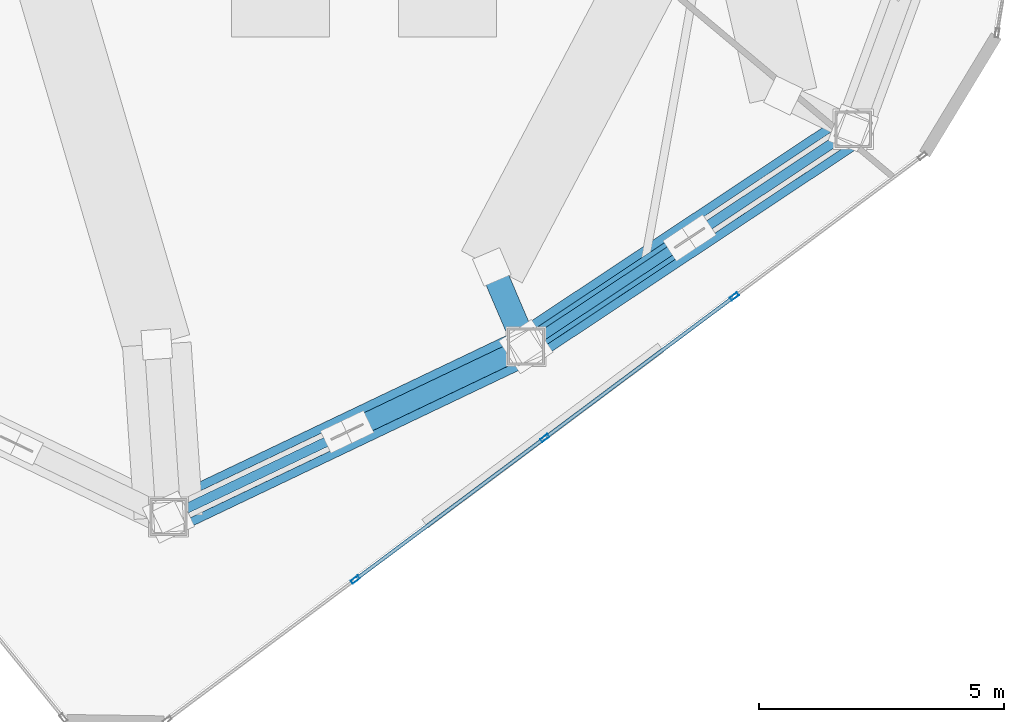
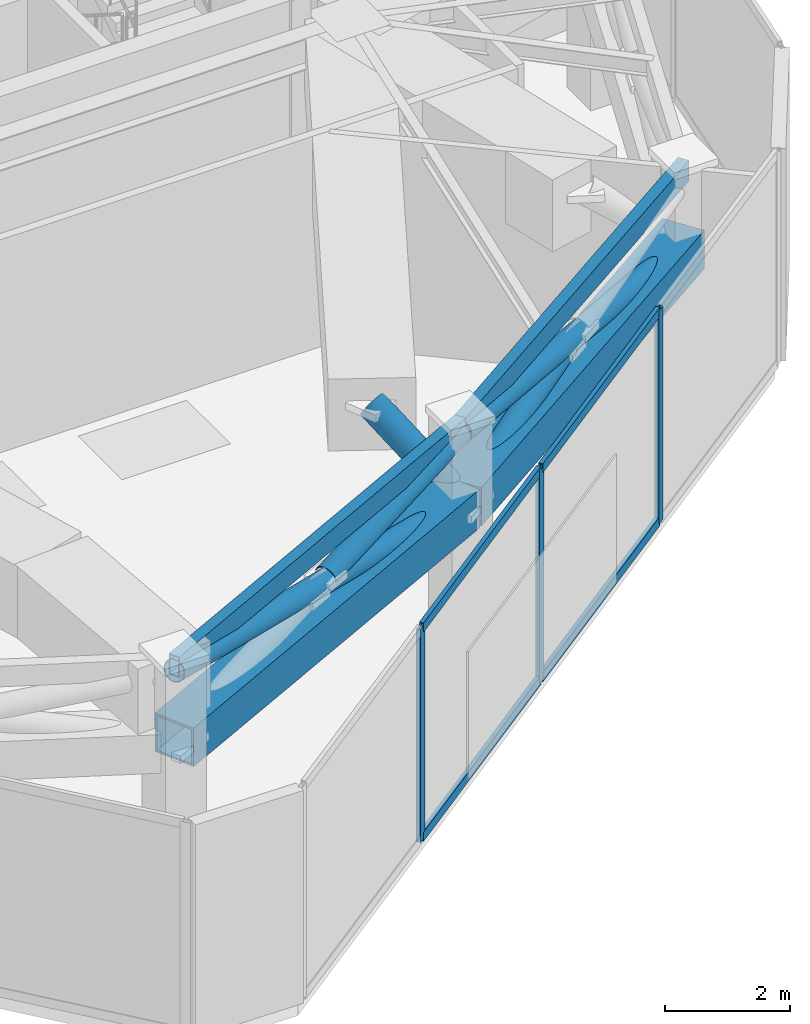
# One storey, part 4 of 19: 14 members, 2 beams, 1 element without a shape of its own.
"""IFC4 building model written with IfcOpenShell, lengths in metres."""

import ifcopenshell
import ifcopenshell.guid

model = None  # the IFC model being written
_history = None  # IfcOwnerHistory: only IFC2X3 demands one
_inside = {}  # id of a spatial element -> (the spatial element, [elements in it])
_under = {}  # id of a project, library or spatial element -> (it, [spatial elements below it])
_declared = {}  # id of a project -> (the project, [libraries it declares])
_typed = {}  # id of a type object -> (the type object, [elements of that type])
_made_of = {}  # id of a material, layer set ... -> (it, [elements and type objects made of it])


def new_model(schema):
    """Start an empty IFC model of exactly this schema.

    Asked for "IFC4X3", IfcOpenShell would pick the latest addendum, in which some entities
    have other attributes; the version numbers below select the first issue.
    IFC2X3 requires an IfcOwnerHistory on every rooted entity: one is made here for all.
    """
    global model, _history
    if schema == "IFC4X3":
        model = ifcopenshell.file(schema_version=(4, 3, 0, 0))
    else:
        model = ifcopenshell.file(schema=schema)
    _inside.clear()
    _under.clear()
    _declared.clear()
    _typed.clear()
    _made_of.clear()
    _history = None
    if model.schema == "IFC2X3":
        org = make("IfcOrganization", Name="unknown")
        user = make(
            "IfcPersonAndOrganization",
            ThePerson=make("IfcPerson", FamilyName="unknown"),
            TheOrganization=org,
        )
        app = make(
            "IfcApplication",
            ApplicationDeveloper=org,
            Version="unknown",
            ApplicationFullName="unknown",
            ApplicationIdentifier="unknown",
        )
        _history = make(
            "IfcOwnerHistory",
            OwningUser=user,
            OwningApplication=app,
            ChangeAction="ADDED",
            CreationDate=0,
        )
    return model


def make(cls, **values):
    """One entity of the class cls with the attributes given. An attribute that is None is left unset."""
    return model.create_entity(
        cls, **{name: value for name, value in values.items() if value is not None}
    )


def rooted(cls, **values):
    """An entity with a GlobalId (a new one), such as an element, a storey or a relation."""
    return make(cls, GlobalId=ifcopenshell.guid.new(), OwnerHistory=_history, **values)


def si_unit(unit_type, name, prefix=None):
    """IfcSIUnit, for example si_unit("LENGTHUNIT", "METRE", prefix="MILLI")."""
    return make("IfcSIUnit", UnitType=unit_type, Prefix=prefix, Name=name)


def assignment(units):
    """IfcUnitAssignment: the units of a project."""
    return None if units is None else make("IfcUnitAssignment", Units=units)


def point(xyz):
    """IfcCartesianPoint."""
    return None if xyz is None else make("IfcCartesianPoint", Coordinates=xyz)


def direction(xyz):
    """IfcDirection."""
    return None if xyz is None else make("IfcDirection", DirectionRatios=xyz)


def frame(location, z_axis=None, x_axis=None):
    """IfcAxis2Placement3D, a coordinate frame: its origin and axes. An axis left out is left unset."""
    return make(
        "IfcAxis2Placement3D",
        Location=point(location),
        Axis=direction(z_axis),
        RefDirection=direction(x_axis),
    )


def frame_2d(location, x_axis=None):
    """IfcAxis2Placement2D, a coordinate frame in the plane: its origin and x axis."""
    return make(
        "IfcAxis2Placement2D", Location=point(location), RefDirection=direction(x_axis)
    )


def origin():
    """The frame at (0, 0, 0) with its axes left unset."""
    return frame((0.0, 0.0, 0.0))


def origin_2d():
    """The frame at (0, 0) in the plane with its x axis left unset."""
    return frame_2d((0.0, 0.0))


def place(relative_to, where):
    """IfcLocalPlacement: puts the frame where relative to a parent placement (None: the world)."""
    return make(
        "IfcLocalPlacement", PlacementRelTo=relative_to, RelativePlacement=where
    )


def context(
    kind, dimensions, precision=None, world=None, true_north=None, identifier=None
):
    """IfcGeometricRepresentationContext, for example the 3D "Model" context."""
    return make(
        "IfcGeometricRepresentationContext",
        ContextIdentifier=identifier,
        ContextType=kind,
        CoordinateSpaceDimension=dimensions,
        Precision=precision,
        WorldCoordinateSystem=world,
        TrueNorth=true_north,
    )


def subcontext(parent, identifier, kind, view, scale=None):
    """IfcGeometricRepresentationSubContext, for example "Body" below "Model"."""
    return make(
        "IfcGeometricRepresentationSubContext",
        ContextIdentifier=identifier,
        ContextType=kind,
        ParentContext=parent,
        TargetScale=scale,
        TargetView=view,
    )


def project(units=None, contexts=None):
    """IfcProject with its units and contexts."""
    return rooted(
        "IfcProject",
        Name="project",
        RepresentationContexts=contexts,
        UnitsInContext=assignment(units),
    )


def spatial(cls, under=None, at=None, **own):
    """A site, building, storey or space (cls), placed at a placement, below another one or the project."""
    s = rooted(cls, ObjectPlacement=at, **own)
    if under is not None:
        _under.setdefault(under.id(), (under, []))[1].append(s)
    return s


def profile(cls, at=None, kind="AREA", **sizes):
    """A parametric profile (cls). Its sizes go by their IFC names, for example OverallWidth=200.0."""
    return make(cls, ProfileType=kind, Position=at, **sizes)


def hollow_rectangle(**sizes):
    """IfcRectangleHollowProfileDef."""
    return profile("IfcRectangleHollowProfileDef", **sizes)


def hollow_circle(**sizes):
    """IfcCircleHollowProfileDef."""
    return profile("IfcCircleHollowProfileDef", **sizes)


def extrude(swept, where, along, depth):
    """IfcExtrudedAreaSolid: the profile swept, set in the frame where, extruded along a direction by depth."""
    return make(
        "IfcExtrudedAreaSolid",
        SweptArea=swept,
        Position=where,
        ExtrudedDirection=direction(along),
        Depth=depth,
    )


def shape(context_of_items, identifier, shape_type, items):
    """IfcShapeRepresentation: the items that make up one representation, for example the "Body"."""
    return make(
        "IfcShapeRepresentation",
        ContextOfItems=context_of_items,
        RepresentationIdentifier=identifier,
        RepresentationType=shape_type,
        Items=items,
    )


def source(mapping_origin, context_of_items, identifier, shape_type, items):
    """IfcRepresentationMap: a shape defined once, which mapped items show again and again."""
    return make(
        "IfcRepresentationMap",
        MappingOrigin=mapping_origin,
        MappedRepresentation=shape(context_of_items, identifier, shape_type, items),
    )


def transform(
    local_origin,
    x_axis=None,
    y_axis=None,
    z_axis=None,
    scale=None,
    scale2=None,
    scale3=None,
    uniform=True,
):
    """IfcCartesianTransformationOperator3D, or its non-uniform kind. x_axis, y_axis, z_axis: its Axis1, 2, 3."""
    if uniform:
        return make(
            "IfcCartesianTransformationOperator3D",
            Axis1=direction(x_axis),
            Axis2=direction(y_axis),
            LocalOrigin=point(local_origin),
            Scale=scale,
            Axis3=direction(z_axis),
        )
    return make(
        "IfcCartesianTransformationOperator3DnonUniform",
        Axis1=direction(x_axis),
        Axis2=direction(y_axis),
        LocalOrigin=point(local_origin),
        Scale=scale,
        Axis3=direction(z_axis),
        Scale2=scale2,
        Scale3=scale3,
    )


def mapped(mapping_source, mapping_target):
    """IfcMappedItem: shows the shape of a source again, moved by a transform."""
    return make(
        "IfcMappedItem", MappingSource=mapping_source, MappingTarget=mapping_target
    )


def material(Name=None, Category=None):
    """IfcMaterial."""
    return make("IfcMaterial", Name=Name, Category=Category)


def layer(
    of_material, thickness, ventilated=None, Name=None, Category=None, Priority=None
):
    """IfcMaterialLayer: one layer of a wall or slab, of a material (None: an air gap)."""
    return make(
        "IfcMaterialLayer",
        Material=of_material,
        LayerThickness=thickness,
        IsVentilated=ventilated,
        Name=Name,
        Category=Category,
        Priority=Priority,
    )


def layer_set(layers, Name=None):
    """IfcMaterialLayerSet."""
    return make("IfcMaterialLayerSet", MaterialLayers=layers, LayerSetName=Name)


def material_profile(
    of_material, cross_section, Name=None, Category=None, Priority=None
):
    """IfcMaterialProfile: a cross section and its material."""
    return make(
        "IfcMaterialProfile",
        Name=Name,
        Material=of_material,
        Profile=cross_section,
        Priority=Priority,
        Category=Category,
    )


def profile_set(profiles, Name=None, composite=None):
    """IfcMaterialProfileSet."""
    return make(
        "IfcMaterialProfileSet",
        Name=Name,
        MaterialProfiles=profiles,
        CompositeProfile=composite,
    )


def made_of(thing, what):
    """Note that an element or type object is made of a material, layer set ...; save() writes the relation."""
    if what is not None:
        _made_of.setdefault(what.id(), (what, []))[1].append(thing)
    return thing


def type_object(cls, material=None, **own):
    """A type object (cls), such as IfcWallType, which elements share."""
    return made_of(rooted(cls, **own), material)


def type_shapes(of_type, sources):
    """Give a type object the sources (RepresentationMaps) that its elements show as mapped items."""
    of_type.RepresentationMaps = sources


def element(
    cls,
    number,
    at=None,
    inside=None,
    cuts=None,
    type_object=None,
    material=None,
    context=None,
    identifier="Body",
    shape_type=None,
    held_by="IfcProductDefinitionShape",
    body=None,
    shapes=None,
    **own,
):
    """One element of the class cls, such as IfcWall. Its Tag is "e" and its number.

    at: its placement. inside: the storey or other place that contains it. cuts: it is an
    opening in that element (IfcRelVoidsElement). A single representation is given by context,
    identifier, shape_type and body (its items); several are given by shapes. held_by: the class
    of the entity that holds the representations. save() writes the other relations.
    """
    e = rooted(cls, Tag="e%d" % number, ObjectPlacement=at, **own)
    if body is not None:
        shapes = [shape(context, identifier, shape_type, body)]
    if shapes is not None:
        e.Representation = make(held_by, Representations=shapes)
    if inside is not None:
        _inside.setdefault(inside.id(), (inside, []))[1].append(e)
    if cuts is not None:
        rooted(
            "IfcRelVoidsElement", RelatingBuildingElement=cuts, RelatedOpeningElement=e
        )
    if type_object is not None:
        _typed.setdefault(type_object.id(), (type_object, []))[1].append(e)
    return made_of(e, material)


def aggregate(whole, parts):
    """IfcRelAggregates: a whole, such as a stair, and the parts it consists of."""
    return rooted("IfcRelAggregates", RelatingObject=whole, RelatedObjects=parts)


def save(model, path):
    """Write the relations noted so far, then the file.

    IfcRelAggregates (storeys below a building ...), IfcRelContainedInSpatialStructure (elements
    in a storey), IfcRelDefinesByType, IfcRelAssociatesMaterial and IfcRelDeclares: one each for
    every whole, place, type object, material and project.
    """
    for whole, parts in _under.values():
        aggregate(whole, parts)
    for where, things in _inside.values():
        rooted(
            "IfcRelContainedInSpatialStructure",
            RelatedElements=things,
            RelatingStructure=where,
        )
    for kind, things in _typed.values():
        rooted("IfcRelDefinesByType", RelatedObjects=things, RelatingType=kind)
    for what, things in _made_of.values():
        rooted("IfcRelAssociatesMaterial", RelatedObjects=things, RelatingMaterial=what)
    for by, libraries in _declared.values():
        rooted("IfcRelDeclares", RelatingContext=by, RelatedDefinitions=libraries)
    model.write(path)


model = new_model("IFC4")

# Units and contexts
model_context = context("Model", 3, precision=1e-05, world=origin(), true_north=direction((0.0, 1.0)))
body_context = subcontext(model_context, "Body", "Model", "MODEL_VIEW")
ifc_project = project(units=[si_unit("LENGTHUNIT", "METRE"), si_unit("AREAUNIT", "SQUARE_METRE"), si_unit("VOLUMEUNIT", "CUBIC_METRE"), si_unit("PLANEANGLEUNIT", "RADIAN"), si_unit("MASSUNIT", "GRAM", prefix="KILO")], contexts=[model_context])

# Site, building, storey
site_placement = place(None, origin())
site = spatial("IfcSite", under=ifc_project, at=site_placement, CompositionType="ELEMENT")
building_placement = place(site_placement, origin())
building = spatial("IfcBuilding", under=site, at=building_placement, Name="Talar Marvaseh", CompositionType="ELEMENT")
storey_placement = place(building_placement, frame((0.0, 0.0, 236.199951171875)))
storey = spatial("IfcBuildingStorey", under=building, at=storey_placement, Name="L62", CompositionType="ELEMENT", Elevation=236.199951171875)

# Beams
ifc_material_1 = material(Name="Steel S355", Category="steel")
ifc_material_profile_1 = material_profile(ifc_material_1, hollow_rectangle(XDim=0.199951171875, YDim=0.39990234375, WallThickness=0.013916015625, at=origin_2d()), Name="RHS400x200x14")
ifc_profile_set_1 = profile_set([ifc_material_profile_1], Name="Steel S355")
beam_type = type_object("IfcBeamType", Name="Zone 3 Perimeter Spandrel Beam RHS400x200x14", PredefinedType="SPANDREL", material=ifc_profile_set_1)
beam_1_placement = place(storey_placement, frame((35.970947265625, 19.423095703125, 3.949951171875), z_axis=(-0.833127464163, -0.553081032452, 0.0), x_axis=(0.553081032452, -0.833127464163, 0.0)))
element("IfcBeam", 1, at=beam_1_placement, inside=storey, type_object=beam_type, Name="L62 Zone 3 Perimeter Spandrel Beam RHS400x200x14", PredefinedType="SPANDREL", context=body_context, shape_type="SweptSolid", body=[
    extrude(hollow_rectangle(XDim=0.199951171875, YDim=0.39990234375, WallThickness=0.013916015625, at=origin_2d()), origin(), (0.0, 0.0, 1.0), 8.00830078125),
])
beam_2_placement = place(storey_placement, frame((29.299072265625, 14.993896484375, 3.949951171875), z_axis=(-0.902562267408, -0.430559349511, 0.0), x_axis=(0.430559349511, -0.902562267408, 0.0)))
element("IfcBeam", 2, at=beam_2_placement, inside=storey, type_object=beam_type, Name="L62 Zone 3 Perimeter Spandrel Beam RHS400x200x14", PredefinedType="SPANDREL", context=body_context, shape_type="SweptSolid", body=[
    extrude(hollow_rectangle(XDim=0.199951171875, YDim=0.39990234375, WallThickness=0.013916015625, at=origin_2d()), origin(), (0.0, 0.0, 1.0), 8.070556640625),
])

# Members
ifc_material_2 = material(Name="Steel S460", Category="steel")
ifc_material_profile_2 = material_profile(ifc_material_2, hollow_circle(Radius=0.25390625, WallThickness=0.02001953125, at=origin_2d()), Name="CHS508x20")
ifc_profile_set_2 = profile_set([ifc_material_profile_2], Name="Steel S460")
member_type_1 = type_object("IfcMemberType", Name="Crown Frame Diagonal Brace CHS508x20", PredefinedType="BRACE", material=ifc_profile_set_2)
shared_shape_1 = source(origin(), body_context, "Body", "SweptSolid", [
    extrude(hollow_circle(Radius=0.25390625, WallThickness=0.02001953125, at=origin_2d()), origin(), (0.0, 0.0, 1.0), 2.080078125),
])
type_shapes(member_type_1, [shared_shape_1])
member_1_placement = place(storey_placement, frame((29.299072265625, 14.993896484375, 2.550048828125), z_axis=(-0.333703400363, 0.780323674151, 0.528901696108), x_axis=(-0.919452359409, -0.393201422654, 0.0)))
element("IfcMember", 3, at=member_1_placement, inside=storey, type_object=member_type_1, Name="L62 Setback Transfer Raked Strut 10", PredefinedType="BRACE", context=body_context, shape_type="MappedRepresentation", body=[
    mapped(shared_shape_1, transform((0.0, 0.0, 0.0), x_axis=(1.0, 0.0, 0.0), y_axis=(0.0, 1.0, 0.0), z_axis=(0.0, 0.0, 1.0), scale=1.0)),
])
ifc_material_profile_3 = material_profile(ifc_material_2, hollow_rectangle(XDim=0.75, YDim=0.75, WallThickness=0.0400390625, at=origin_2d()), Name="BOX750x750x40")
ifc_profile_set_3 = profile_set([ifc_material_profile_3], Name="Steel S460")
member_type_2 = type_object("IfcMemberType", Name="Belt Truss Chord Member BOX750x750x40", PredefinedType="CHORD", material=ifc_profile_set_3)
shared_shape_2 = source(origin(), body_context, "Body", "SweptSolid", [
    extrude(hollow_rectangle(XDim=0.75, YDim=0.75, WallThickness=0.0400390625, at=origin_2d()), origin(), (0.0, 0.0, 1.0), 8.00830078125),
])
member_2_placement = place(storey_placement, frame((35.970947265625, 19.423095703125, 2.5), z_axis=(-0.833127464163, -0.553081032452, 0.0), x_axis=(0.553081032452, -0.833127464163, 0.0)))
element("IfcMember", 4, at=member_2_placement, inside=storey, type_object=member_type_2, Name="L62 Belt Truss Bottom Chord 5", PredefinedType="CHORD", context=body_context, shape_type="MappedRepresentation", body=[
    mapped(shared_shape_2, transform((0.0, 0.0, 0.0), x_axis=(1.0, 0.0, 0.0), y_axis=(0.0, 1.0, 0.0), z_axis=(0.0, 0.0, 1.0), scale=1.0)),
])
ifc_material_profile_4 = material_profile(ifc_material_2, hollow_circle(Radius=0.203125, WallThickness=0.01611328125, at=origin_2d()), Name="CHS406x16")
ifc_profile_set_4 = profile_set([ifc_material_profile_4], Name="Steel S460")
member_type_3 = type_object("IfcMemberType", Name="Belt Truss Diagonal Brace CHS406x16", PredefinedType="BRACE", material=ifc_profile_set_4)
shared_shape_3 = source(origin(), body_context, "Body", "SweptSolid", [
    extrude(hollow_circle(Radius=0.203125, WallThickness=0.01611328125, at=origin_2d()), origin(), (0.0, 0.0, 1.0), 8.121337890625),
])
member_3_placement = place(storey_placement, frame((35.970947265625, 19.423095703125, 2.5), z_axis=(-0.821534361401, -0.545384820863, 0.16624286514), x_axis=(0.553081032452, -0.833127464163, 0.0)))
element("IfcMember", 5, at=member_3_placement, inside=storey, type_object=member_type_3, Name="L62 Belt Truss Continuous Diagonal 5", PredefinedType="BRACE", context=body_context, shape_type="MappedRepresentation", body=[
    mapped(shared_shape_3, transform((0.0, 0.0, 0.0), x_axis=(1.0, 0.0, 0.0), y_axis=(0.0, 1.0, 0.0), z_axis=(0.0, 0.0, 1.0), scale=1.0)),
])
shared_shape_4 = source(origin(), body_context, "Body", "SweptSolid", [
    extrude(hollow_circle(Radius=0.203125, WallThickness=0.01611328125, at=origin_2d()), origin(), (0.0, 0.0, 1.0), 3.820556640625),
])
member_4_placement = place(storey_placement, frame((29.299072265625, 14.993896484375, 2.5), z_axis=(0.821518512292, 0.545399852397, 0.166271870643), x_axis=(-0.553099019172, 0.833115523196, 0.0)))
element("IfcMember", 6, at=member_4_placement, inside=storey, type_object=member_type_3, Name="L62 Belt Truss Split Diagonal Lower 5", PredefinedType="BRACE", context=body_context, shape_type="MappedRepresentation", body=[
    mapped(shared_shape_4, transform((0.0, 0.0, 0.0), x_axis=(1.0, 0.0, 0.0), y_axis=(0.0, 1.0, 0.0), z_axis=(0.0, 0.0, 1.0), scale=1.0)),
])
shared_shape_5 = source(origin(), body_context, "Body", "SweptSolid", [
    extrude(hollow_rectangle(XDim=0.75, YDim=0.75, WallThickness=0.0400390625, at=origin_2d()), origin(), (0.0, 0.0, 1.0), 8.070556640625),
])
type_shapes(member_type_2, [shared_shape_2, shared_shape_5])
member_5_placement = place(storey_placement, frame((29.299072265625, 14.993896484375, 2.5), z_axis=(-0.902562267408, -0.430559349511, 0.0), x_axis=(0.430559349511, -0.902562267408, 0.0)))
element("IfcMember", 7, at=member_5_placement, inside=storey, type_object=member_type_2, Name="L62 Belt Truss Bottom Chord 6", PredefinedType="CHORD", context=body_context, shape_type="MappedRepresentation", body=[
    mapped(shared_shape_5, transform((0.0, 0.0, 0.0), x_axis=(1.0, 0.0, 0.0), y_axis=(0.0, 1.0, 0.0), z_axis=(0.0, 0.0, 1.0), scale=1.0)),
])
shared_shape_6 = source(origin(), body_context, "Body", "SweptSolid", [
    extrude(hollow_circle(Radius=0.203125, WallThickness=0.01611328125, at=origin_2d()), origin(), (0.0, 0.0, 1.0), 8.1826171875),
])
member_6_placement = place(storey_placement, frame((29.299072265625, 14.993896484375, 2.5), z_axis=(-0.890192252953, -0.424658343487, 0.164994072893), x_axis=(0.430559349511, -0.902562267408, 0.0)))
element("IfcMember", 8, at=member_6_placement, inside=storey, type_object=member_type_3, Name="L62 Belt Truss Continuous Diagonal 6", PredefinedType="BRACE", context=body_context, shape_type="MappedRepresentation", body=[
    mapped(shared_shape_6, transform((0.0, 0.0, 0.0), x_axis=(1.0, 0.0, 0.0), y_axis=(0.0, 1.0, 0.0), z_axis=(0.0, 0.0, 1.0), scale=1.0)),
])
shared_shape_7 = source(origin(), body_context, "Body", "SweptSolid", [
    extrude(hollow_circle(Radius=0.203125, WallThickness=0.01611328125, at=origin_2d()), origin(), (0.0, 0.0, 1.0), 3.851318359375),
])
type_shapes(member_type_3, [shared_shape_3, shared_shape_4, shared_shape_6, shared_shape_7])
member_7_placement = place(storey_placement, frame((25.87060546875, 13.3583984375, 3.214599609375), z_axis=(0.89019272577, 0.424652928145, 0.165005459316), x_axis=(-0.430554690464, 0.902564489951, 0.0)))
element("IfcMember", 9, at=member_7_placement, inside=storey, type_object=member_type_3, Name="L62 Belt Truss Split Diagonal Upper 6", PredefinedType="BRACE", context=body_context, shape_type="MappedRepresentation", body=[
    mapped(shared_shape_7, transform((0.0, 0.0, 0.0), x_axis=(1.0, 0.0, 0.0), y_axis=(0.0, 1.0, 0.0), z_axis=(0.0, 0.0, 1.0), scale=1.0)),
])

# Curtain wall, members
ifc_material_3 = material(Name="Architectural Aluminium", Category="aluminium")
ifc_layer = layer(ifc_material_3, 0.18994140625)
ifc_layer_set = layer_set([ifc_layer], Name="Architectural Aluminium")
curtain_wall_type = type_object("IfcCurtainWallType", Name="Unitised Solar Atelier Curtain Wall Z3", PredefinedType="NOTDEFINED", material=ifc_layer_set)
curtain_wall_placement = place(storey_placement, origin())
curtain_wall = element("IfcCurtainWall", 10, at=curtain_wall_placement, inside=storey, type_object=curtain_wall_type, Name="L62 Unitised Solar Atelier Curtain Wall Z3", PredefinedType="NOTDEFINED")
ifc_material_profile_5 = material_profile(ifc_material_3, hollow_rectangle(XDim=0.074951171875, YDim=0.179931640625, WallThickness=0.0048828125, at=origin_2d()), Name="RHS180x75x5")
ifc_profile_set_5 = profile_set([ifc_material_profile_5], Name="Architectural Aluminium")
member_type_4 = type_object("IfcMemberType", Name="Unitised Curtain Wall Standard Mullion RHS180x75x5", PredefinedType="MULLION", material=ifc_profile_set_5)
shared_shape_8 = source(origin(), body_context, "Body", "SweptSolid", [
    extrude(hollow_rectangle(XDim=0.074951171875, YDim=0.179931640625, WallThickness=0.0048828125, at=origin_2d()), origin(), (0.0, 0.0, 1.0), 4.150146484375),
])
type_shapes(member_type_4, [shared_shape_8])
member_8_placement = place(storey_placement, frame((33.54833984375, 16.016845703125, 0.0), z_axis=(0.0, 0.0, 1.0), x_axis=(0.598447667514, -0.801161899523, 0.0)))
member_8 = element("IfcMember", 11, at=member_8_placement, type_object=member_type_4, Name="CW-Z3 mullion 2", PredefinedType="MULLION", context=body_context, shape_type="MappedRepresentation", body=[
    mapped(shared_shape_8, transform((0.0, 0.0, 0.0), x_axis=(1.0, 0.0, 0.0), y_axis=(0.0, 1.0, 0.0), z_axis=(0.0, 0.0, 1.0), scale=1.0)),
])
member_9_placement = place(storey_placement, frame((29.68505859375, 13.131103515625, 0.0), z_axis=(0.0, 0.0, 1.0), x_axis=(0.598447667514, -0.801161899523, 0.0)))
member_9 = element("IfcMember", 12, at=member_9_placement, type_object=member_type_4, Name="CW-Z3 mullion 3", PredefinedType="MULLION", context=body_context, shape_type="MappedRepresentation", body=[
    mapped(shared_shape_8, transform((0.0, 0.0, 0.0), x_axis=(1.0, 0.0, 0.0), y_axis=(0.0, 1.0, 0.0), z_axis=(0.0, 0.0, 1.0), scale=1.0)),
])
member_10_placement = place(storey_placement, frame((25.82177734375, 10.245361328125, 0.0), z_axis=(0.0, 0.0, 1.0), x_axis=(0.598447667514, -0.801161899523, 0.0)))
member_10 = element("IfcMember", 13, at=member_10_placement, type_object=member_type_4, Name="CW-Z3 mullion 4", PredefinedType="MULLION", context=body_context, shape_type="MappedRepresentation", body=[
    mapped(shared_shape_8, transform((0.0, 0.0, 0.0), x_axis=(1.0, 0.0, 0.0), y_axis=(0.0, 1.0, 0.0), z_axis=(0.0, 0.0, 1.0), scale=1.0)),
])
ifc_material_profile_6 = material_profile(ifc_material_3, hollow_rectangle(XDim=0.074951171875, YDim=0.179931640625, WallThickness=0.0048828125, at=origin_2d()), Name="RHS180x75x5")
ifc_profile_set_6 = profile_set([ifc_material_profile_6], Name="Architectural Aluminium")
member_type_5 = type_object("IfcMemberType", Name="Unitised Curtain Wall Transom RHS180x75x5", PredefinedType="USERDEFINED", material=ifc_profile_set_6)
shared_shape_9 = source(origin(), body_context, "Body", "SweptSolid", [
    extrude(hollow_rectangle(XDim=0.074951171875, YDim=0.179931640625, WallThickness=0.0048828125, at=origin_2d()), origin(), (0.0, 0.0, 1.0), 4.747314453125),
])
type_shapes(member_type_5, [shared_shape_9])
member_11_placement = place(storey_placement, frame((33.518310546875, 15.994384765625, 0.03759765625), z_axis=(-0.801146410412, -0.598468402745, 0.0), x_axis=(0.598468402745, -0.801146410412, 0.0)))
member_11 = element("IfcMember", 14, at=member_11_placement, type_object=member_type_5, Name="CW-Z3 transom 2.1", ObjectType="TRANSOM", PredefinedType="USERDEFINED", context=body_context, shape_type="MappedRepresentation", body=[
    mapped(shared_shape_9, transform((0.0, 0.0, 0.0), x_axis=(1.0, 0.0, 0.0), y_axis=(0.0, 1.0, 0.0), z_axis=(0.0, 0.0, 1.0), scale=1.0)),
])
member_12_placement = place(storey_placement, frame((33.518310546875, 15.994384765625, 4.112548828125), z_axis=(-0.801146410412, -0.598468402745, 0.0), x_axis=(0.598468402745, -0.801146410412, 0.0)))
member_12 = element("IfcMember", 15, at=member_12_placement, type_object=member_type_5, Name="CW-Z3 transom 2.2", ObjectType="TRANSOM", PredefinedType="USERDEFINED", context=body_context, shape_type="MappedRepresentation", body=[
    mapped(shared_shape_9, transform((0.0, 0.0, 0.0), x_axis=(1.0, 0.0, 0.0), y_axis=(0.0, 1.0, 0.0), z_axis=(0.0, 0.0, 1.0), scale=1.0)),
])
member_13_placement = place(storey_placement, frame((29.655029296875, 13.108642578125, 0.03759765625), z_axis=(-0.801146410412, -0.598468402745, 0.0), x_axis=(0.598468402745, -0.801146410412, 0.0)))
member_13 = element("IfcMember", 16, at=member_13_placement, type_object=member_type_5, Name="CW-Z3 transom 3.1", ObjectType="TRANSOM", PredefinedType="USERDEFINED", context=body_context, shape_type="MappedRepresentation", body=[
    mapped(shared_shape_9, transform((0.0, 0.0, 0.0), x_axis=(1.0, 0.0, 0.0), y_axis=(0.0, 1.0, 0.0), z_axis=(0.0, 0.0, 1.0), scale=1.0)),
])
member_14_placement = place(storey_placement, frame((29.655029296875, 13.108642578125, 4.112548828125), z_axis=(-0.801146410412, -0.598468402745, 0.0), x_axis=(0.598468402745, -0.801146410412, 0.0)))
member_14 = element("IfcMember", 17, at=member_14_placement, type_object=member_type_5, Name="CW-Z3 transom 3.2", ObjectType="TRANSOM", PredefinedType="USERDEFINED", context=body_context, shape_type="MappedRepresentation", body=[
    mapped(shared_shape_9, transform((0.0, 0.0, 0.0), x_axis=(1.0, 0.0, 0.0), y_axis=(0.0, 1.0, 0.0), z_axis=(0.0, 0.0, 1.0), scale=1.0)),
])
aggregate(curtain_wall, [member_8, member_9, member_10, member_11, member_12, member_13, member_14])

save(model, "model.ifc")
